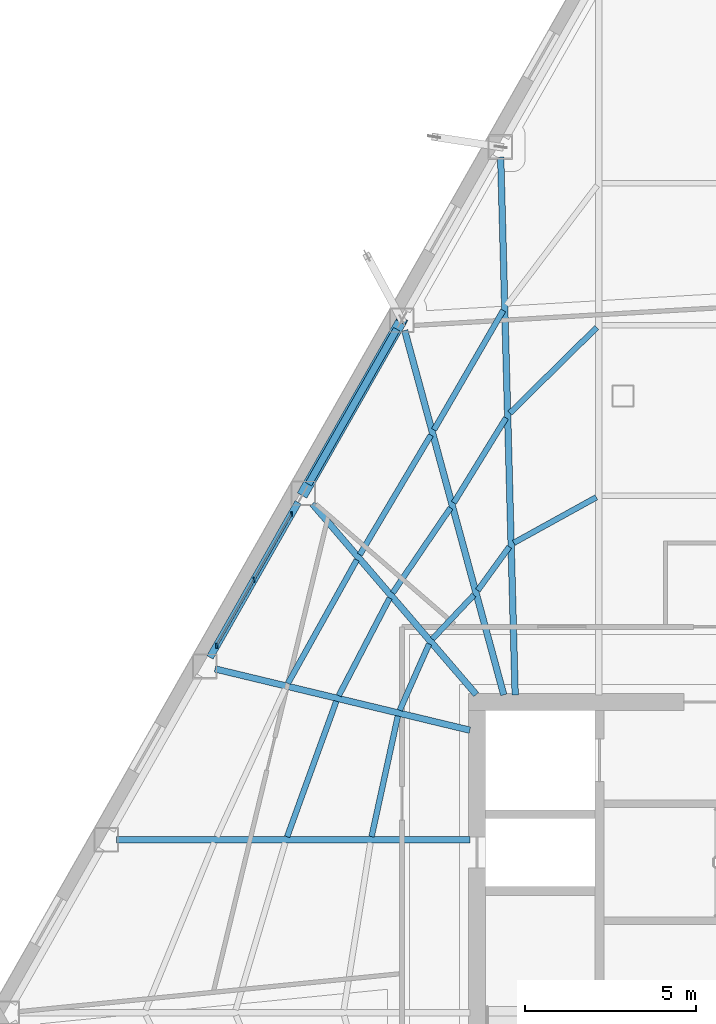
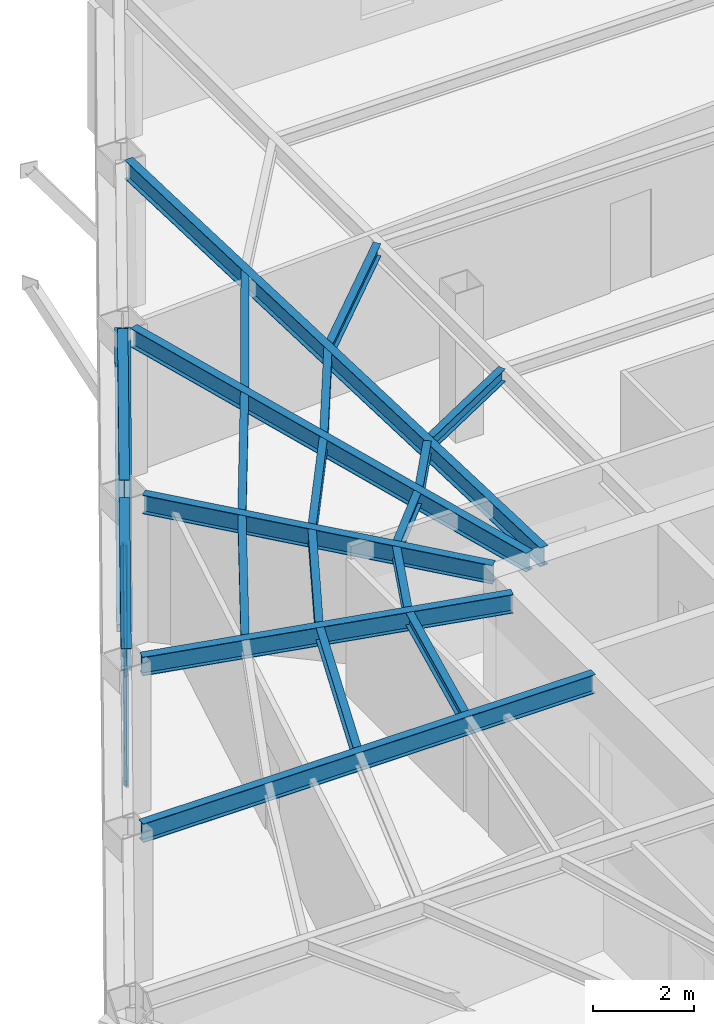
# One storey, part 2 of 12: 20 beams, 6 members, 1 element without a shape of its own.
"""IFC4 building model written with IfcOpenShell, lengths in metres."""

import ifcopenshell
import ifcopenshell.guid

model = None  # the IFC model being written
_history = None  # IfcOwnerHistory: only IFC2X3 demands one
_inside = {}  # id of a spatial element -> (the spatial element, [elements in it])
_under = {}  # id of a project, library or spatial element -> (it, [spatial elements below it])
_declared = {}  # id of a project -> (the project, [libraries it declares])
_typed = {}  # id of a type object -> (the type object, [elements of that type])
_made_of = {}  # id of a material, layer set ... -> (it, [elements and type objects made of it])


def new_model(schema):
    """Start an empty IFC model of exactly this schema.

    Asked for "IFC4X3", IfcOpenShell would pick the latest addendum, in which some entities
    have other attributes; the version numbers below select the first issue.
    IFC2X3 requires an IfcOwnerHistory on every rooted entity: one is made here for all.
    """
    global model, _history
    if schema == "IFC4X3":
        model = ifcopenshell.file(schema_version=(4, 3, 0, 0))
    else:
        model = ifcopenshell.file(schema=schema)
    _inside.clear()
    _under.clear()
    _declared.clear()
    _typed.clear()
    _made_of.clear()
    _history = None
    if model.schema == "IFC2X3":
        org = make("IfcOrganization", Name="unknown")
        user = make(
            "IfcPersonAndOrganization",
            ThePerson=make("IfcPerson", FamilyName="unknown"),
            TheOrganization=org,
        )
        app = make(
            "IfcApplication",
            ApplicationDeveloper=org,
            Version="unknown",
            ApplicationFullName="unknown",
            ApplicationIdentifier="unknown",
        )
        _history = make(
            "IfcOwnerHistory",
            OwningUser=user,
            OwningApplication=app,
            ChangeAction="ADDED",
            CreationDate=0,
        )
    return model


def make(cls, **values):
    """One entity of the class cls with the attributes given. An attribute that is None is left unset."""
    return model.create_entity(
        cls, **{name: value for name, value in values.items() if value is not None}
    )


def rooted(cls, **values):
    """An entity with a GlobalId (a new one), such as an element, a storey or a relation."""
    return make(cls, GlobalId=ifcopenshell.guid.new(), OwnerHistory=_history, **values)


def si_unit(unit_type, name, prefix=None):
    """IfcSIUnit, for example si_unit("LENGTHUNIT", "METRE", prefix="MILLI")."""
    return make("IfcSIUnit", UnitType=unit_type, Prefix=prefix, Name=name)


def assignment(units):
    """IfcUnitAssignment: the units of a project."""
    return None if units is None else make("IfcUnitAssignment", Units=units)


def point(xyz):
    """IfcCartesianPoint."""
    return None if xyz is None else make("IfcCartesianPoint", Coordinates=xyz)


def direction(xyz):
    """IfcDirection."""
    return None if xyz is None else make("IfcDirection", DirectionRatios=xyz)


def frame(location, z_axis=None, x_axis=None):
    """IfcAxis2Placement3D, a coordinate frame: its origin and axes. An axis left out is left unset."""
    return make(
        "IfcAxis2Placement3D",
        Location=point(location),
        Axis=direction(z_axis),
        RefDirection=direction(x_axis),
    )


def frame_2d(location, x_axis=None):
    """IfcAxis2Placement2D, a coordinate frame in the plane: its origin and x axis."""
    return make(
        "IfcAxis2Placement2D", Location=point(location), RefDirection=direction(x_axis)
    )


def origin():
    """The frame at (0, 0, 0) with its axes left unset."""
    return frame((0.0, 0.0, 0.0))


def origin_2d():
    """The frame at (0, 0) in the plane with its x axis left unset."""
    return frame_2d((0.0, 0.0))


def place(relative_to, where):
    """IfcLocalPlacement: puts the frame where relative to a parent placement (None: the world)."""
    return make(
        "IfcLocalPlacement", PlacementRelTo=relative_to, RelativePlacement=where
    )


def context(
    kind, dimensions, precision=None, world=None, true_north=None, identifier=None
):
    """IfcGeometricRepresentationContext, for example the 3D "Model" context."""
    return make(
        "IfcGeometricRepresentationContext",
        ContextIdentifier=identifier,
        ContextType=kind,
        CoordinateSpaceDimension=dimensions,
        Precision=precision,
        WorldCoordinateSystem=world,
        TrueNorth=true_north,
    )


def subcontext(parent, identifier, kind, view, scale=None):
    """IfcGeometricRepresentationSubContext, for example "Body" below "Model"."""
    return make(
        "IfcGeometricRepresentationSubContext",
        ContextIdentifier=identifier,
        ContextType=kind,
        ParentContext=parent,
        TargetScale=scale,
        TargetView=view,
    )


def project(units=None, contexts=None):
    """IfcProject with its units and contexts."""
    return rooted(
        "IfcProject",
        Name="project",
        RepresentationContexts=contexts,
        UnitsInContext=assignment(units),
    )


def spatial(cls, under=None, at=None, **own):
    """A site, building, storey or space (cls), placed at a placement, below another one or the project."""
    s = rooted(cls, ObjectPlacement=at, **own)
    if under is not None:
        _under.setdefault(under.id(), (under, []))[1].append(s)
    return s


def profile(cls, at=None, kind="AREA", **sizes):
    """A parametric profile (cls). Its sizes go by their IFC names, for example OverallWidth=200.0."""
    return make(cls, ProfileType=kind, Position=at, **sizes)


def rectangle(**sizes):
    """IfcRectangleProfileDef."""
    return profile("IfcRectangleProfileDef", **sizes)


def hollow_rectangle(**sizes):
    """IfcRectangleHollowProfileDef."""
    return profile("IfcRectangleHollowProfileDef", **sizes)


def i_section(**sizes):
    """IfcIShapeProfileDef."""
    return profile("IfcIShapeProfileDef", **sizes)


def extrude(swept, where, along, depth):
    """IfcExtrudedAreaSolid: the profile swept, set in the frame where, extruded along a direction by depth."""
    return make(
        "IfcExtrudedAreaSolid",
        SweptArea=swept,
        Position=where,
        ExtrudedDirection=direction(along),
        Depth=depth,
    )


def shape(context_of_items, identifier, shape_type, items):
    """IfcShapeRepresentation: the items that make up one representation, for example the "Body"."""
    return make(
        "IfcShapeRepresentation",
        ContextOfItems=context_of_items,
        RepresentationIdentifier=identifier,
        RepresentationType=shape_type,
        Items=items,
    )


def material(Name=None, Category=None):
    """IfcMaterial."""
    return make("IfcMaterial", Name=Name, Category=Category)


def layer(
    of_material, thickness, ventilated=None, Name=None, Category=None, Priority=None
):
    """IfcMaterialLayer: one layer of a wall or slab, of a material (None: an air gap)."""
    return make(
        "IfcMaterialLayer",
        Material=of_material,
        LayerThickness=thickness,
        IsVentilated=ventilated,
        Name=Name,
        Category=Category,
        Priority=Priority,
    )


def layer_set(layers, Name=None):
    """IfcMaterialLayerSet."""
    return make("IfcMaterialLayerSet", MaterialLayers=layers, LayerSetName=Name)


def material_profile(
    of_material, cross_section, Name=None, Category=None, Priority=None
):
    """IfcMaterialProfile: a cross section and its material."""
    return make(
        "IfcMaterialProfile",
        Name=Name,
        Material=of_material,
        Profile=cross_section,
        Priority=Priority,
        Category=Category,
    )


def profile_set(profiles, Name=None, composite=None):
    """IfcMaterialProfileSet."""
    return make(
        "IfcMaterialProfileSet",
        Name=Name,
        MaterialProfiles=profiles,
        CompositeProfile=composite,
    )


def made_of(thing, what):
    """Note that an element or type object is made of a material, layer set ...; save() writes the relation."""
    if what is not None:
        _made_of.setdefault(what.id(), (what, []))[1].append(thing)
    return thing


def type_object(cls, material=None, **own):
    """A type object (cls), such as IfcWallType, which elements share."""
    return made_of(rooted(cls, **own), material)


def element(
    cls,
    number,
    at=None,
    inside=None,
    cuts=None,
    type_object=None,
    material=None,
    context=None,
    identifier="Body",
    shape_type=None,
    held_by="IfcProductDefinitionShape",
    body=None,
    shapes=None,
    **own,
):
    """One element of the class cls, such as IfcWall. Its Tag is "e" and its number.

    at: its placement. inside: the storey or other place that contains it. cuts: it is an
    opening in that element (IfcRelVoidsElement). A single representation is given by context,
    identifier, shape_type and body (its items); several are given by shapes. held_by: the class
    of the entity that holds the representations. save() writes the other relations.
    """
    e = rooted(cls, Tag="e%d" % number, ObjectPlacement=at, **own)
    if body is not None:
        shapes = [shape(context, identifier, shape_type, body)]
    if shapes is not None:
        e.Representation = make(held_by, Representations=shapes)
    if inside is not None:
        _inside.setdefault(inside.id(), (inside, []))[1].append(e)
    if cuts is not None:
        rooted(
            "IfcRelVoidsElement", RelatingBuildingElement=cuts, RelatedOpeningElement=e
        )
    if type_object is not None:
        _typed.setdefault(type_object.id(), (type_object, []))[1].append(e)
    return made_of(e, material)


def aggregate(whole, parts):
    """IfcRelAggregates: a whole, such as a stair, and the parts it consists of."""
    return rooted("IfcRelAggregates", RelatingObject=whole, RelatedObjects=parts)


def save(model, path):
    """Write the relations noted so far, then the file.

    IfcRelAggregates (storeys below a building ...), IfcRelContainedInSpatialStructure (elements
    in a storey), IfcRelDefinesByType, IfcRelAssociatesMaterial and IfcRelDeclares: one each for
    every whole, place, type object, material and project.
    """
    for whole, parts in _under.values():
        aggregate(whole, parts)
    for where, things in _inside.values():
        rooted(
            "IfcRelContainedInSpatialStructure",
            RelatedElements=things,
            RelatingStructure=where,
        )
    for kind, things in _typed.values():
        rooted("IfcRelDefinesByType", RelatedObjects=things, RelatingType=kind)
    for what, things in _made_of.values():
        rooted("IfcRelAssociatesMaterial", RelatedObjects=things, RelatingMaterial=what)
    for by, libraries in _declared.values():
        rooted("IfcRelDeclares", RelatingContext=by, RelatedDefinitions=libraries)
    model.write(path)


model = new_model("IFC4")

# Units and contexts
model_context = context("Model", 3, precision=1e-05, world=origin(), true_north=direction((0.0, 1.0)))
body_context = subcontext(model_context, "Body", "Model", "MODEL_VIEW")
ifc_project = project(units=[si_unit("LENGTHUNIT", "METRE"), si_unit("AREAUNIT", "SQUARE_METRE"), si_unit("VOLUMEUNIT", "CUBIC_METRE"), si_unit("PLANEANGLEUNIT", "RADIAN"), si_unit("MASSUNIT", "GRAM", prefix="KILO")], contexts=[model_context])

# Site, building, storey
site_placement = place(None, origin())
site = spatial("IfcSite", under=ifc_project, at=site_placement, CompositionType="ELEMENT")
building_placement = place(site_placement, origin())
building = spatial("IfcBuilding", under=site, at=building_placement, Name="Kavelnor Concourse Tower", CompositionType="ELEMENT")
storey_placement = place(building_placement, frame((0.0, 0.0, 93.199951171875)))
storey = spatial("IfcBuildingStorey", under=building, at=storey_placement, Name="L23", CompositionType="ELEMENT", Elevation=93.199951171875)

# Beams
ifc_material_1 = material(Name="Steel Grade 350", Category="steel")
ifc_material_profile_1 = material_profile(ifc_material_1, i_section(OverallWidth=0.166015625, OverallDepth=0.306884765625, WebThickness=0.006591796875, FlangeThickness=0.01171875, at=origin_2d()), Name="310UB46")
ifc_profile_set_1 = profile_set([ifc_material_profile_1], Name="Steel Grade 350")
beam_type_1 = type_object("IfcBeamType", Name="BM-JOIST-310", PredefinedType="JOIST", material=ifc_profile_set_1)
beam_1_placement = place(storey_placement, frame((31.716796875, 28.838134765625, 3.446533203125), z_axis=(-0.875536350101, -0.483152253075, 0.0), x_axis=(0.483152253075, -0.875536350101, 0.0)))
element("IfcBeam", 1, at=beam_1_placement, inside=storey, type_object=beam_type_1, Name="L23 Secondary Composite Joist 16-1", PredefinedType="JOIST", context=body_context, shape_type="SweptSolid", body=[
    extrude(i_section(OverallWidth=0.166015625, OverallDepth=0.306884765625, WebThickness=0.006591796875, FlangeThickness=0.01171875, at=origin_2d()), origin(), (0.0, 0.0, 1.0), 2.757080078125),
])
beam_2_placement = place(storey_placement, frame((31.731201171875, 33.80810546875, 3.446533203125), z_axis=(-0.712111030916, -0.702066862662, 0.0), x_axis=(0.702066862662, -0.712111030916, 0.0)))
element("IfcBeam", 2, at=beam_2_placement, inside=storey, type_object=beam_type_1, Name="L23 Secondary Composite Joist 16-2", PredefinedType="JOIST", context=body_context, shape_type="SweptSolid", body=[
    extrude(i_section(OverallWidth=0.166015625, OverallDepth=0.306884765625, WebThickness=0.006591796875, FlangeThickness=0.01171875, at=origin_2d()), origin(), (0.0, 0.0, 1.0), 3.572998046875),
])
beam_3_placement = place(storey_placement, frame((29.172607421875, 27.390869140625, 3.446533203125), z_axis=(-0.586573045375, -0.809896328205, 0.0), x_axis=(0.809896328205, -0.586573045375, 0.0)))
element("IfcBeam", 3, at=beam_3_placement, inside=storey, type_object=beam_type_1, Name="L23 Secondary Composite Joist 17-1", PredefinedType="JOIST", context=body_context, shape_type="SweptSolid", body=[
    extrude(i_section(OverallWidth=0.166015625, OverallDepth=0.306884765625, WebThickness=0.006591796875, FlangeThickness=0.01171875, at=origin_2d()), origin(), (0.0, 0.0, 1.0), 1.572021484375),
])
beam_4_placement = place(storey_placement, frame((29.07666015625, 31.161376953125, 3.446533203125), z_axis=(-0.523999267711, -0.8517187138, 0.0), x_axis=(0.8517187138, -0.523999267711, 0.0)))
element("IfcBeam", 4, at=beam_4_placement, inside=storey, type_object=beam_type_1, Name="L23 Secondary Composite Joist 17-2", PredefinedType="JOIST", context=body_context, shape_type="SweptSolid", body=[
    extrude(i_section(OverallWidth=0.166015625, OverallDepth=0.306884765625, WebThickness=0.006591796875, FlangeThickness=0.01171875, at=origin_2d()), origin(), (0.0, 0.0, 1.0), 2.914306640625),
])
beam_5_placement = place(storey_placement, frame((28.994140625, 34.30517578125, 3.446533203125), z_axis=(-0.501734375672, -0.865021743235, 0.0), x_axis=(0.865021743235, -0.501734375672, 0.0)))
element("IfcBeam", 5, at=beam_5_placement, inside=storey, type_object=beam_type_1, Name="L23 Secondary Composite Joist 17-3", PredefinedType="JOIST", context=body_context, shape_type="SweptSolid", body=[
    extrude(i_section(OverallWidth=0.166015625, OverallDepth=0.306884765625, WebThickness=0.006591796875, FlangeThickness=0.01171875, at=origin_2d()), origin(), (0.0, 0.0, 1.0), 4.038330078125),
])
beam_6_placement = place(storey_placement, frame((28.13720703125, 25.98095703125, 3.446533203125), z_axis=(-0.686582975318, -0.727051454853, 0.0), x_axis=(0.727051454853, -0.686582975318, 0.0)))
element("IfcBeam", 6, at=beam_6_placement, inside=storey, type_object=beam_type_1, Name="L23 Secondary Composite Joist 18-1", PredefinedType="JOIST", context=body_context, shape_type="SweptSolid", body=[
    extrude(i_section(OverallWidth=0.166015625, OverallDepth=0.306884765625, WebThickness=0.006591796875, FlangeThickness=0.01171875, at=origin_2d()), origin(), (0.0, 0.0, 1.0), 1.767578125),
])
beam_7_placement = place(storey_placement, frame((27.452880859375, 28.52978515625, 3.446533203125), z_axis=(-0.56215453909, -0.827032208672, 0.0), x_axis=(0.827032208672, -0.56215453909, 0.0)))
element("IfcBeam", 7, at=beam_7_placement, inside=storey, type_object=beam_type_1, Name="L23 Secondary Composite Joist 18-2", PredefinedType="JOIST", context=body_context, shape_type="SweptSolid", body=[
    extrude(i_section(OverallWidth=0.166015625, OverallDepth=0.306884765625, WebThickness=0.006591796875, FlangeThickness=0.01171875, at=origin_2d()), origin(), (0.0, 0.0, 1.0), 3.006591796875),
])
beam_8_placement = place(storey_placement, frame((26.877685546875, 30.65869140625, 3.446533203125), z_axis=(-0.510766160463, -0.859719680667, 0.0), x_axis=(0.859719680667, -0.510766160463, 0.0)))
element("IfcBeam", 8, at=beam_8_placement, inside=storey, type_object=beam_type_1, Name="L23 Secondary Composite Joist 18-3", PredefinedType="JOIST", context=body_context, shape_type="SweptSolid", body=[
    extrude(i_section(OverallWidth=0.166015625, OverallDepth=0.306884765625, WebThickness=0.006591796875, FlangeThickness=0.01171875, at=origin_2d()), origin(), (0.0, 0.0, 1.0), 4.067626953125),
])
beam_9_placement = place(storey_placement, frame((26.826416015625, 24.5498046875, 3.446533203125), z_axis=(-0.404674515536, -0.914460790015, 0.0), x_axis=(0.914460790015, -0.404674515536, 0.0)))
element("IfcBeam", 9, at=beam_9_placement, inside=storey, type_object=beam_type_1, Name="L23 Secondary Composite Joist 19-1", PredefinedType="JOIST", context=body_context, shape_type="SweptSolid", body=[
    extrude(i_section(OverallWidth=0.166015625, OverallDepth=0.306884765625, WebThickness=0.006591796875, FlangeThickness=0.01171875, at=origin_2d()), origin(), (0.0, 0.0, 1.0), 2.12060546875),
])
beam_10_placement = place(storey_placement, frame((25.671630859375, 25.890869140625, 3.446533203125), z_axis=(-0.462236598568, -0.886756633437, 0.0), x_axis=(0.886756633437, -0.462236598568, 0.0)))
element("IfcBeam", 10, at=beam_10_placement, inside=storey, type_object=beam_type_1, Name="L23 Secondary Composite Joist 19-2", PredefinedType="JOIST", context=body_context, shape_type="SweptSolid", body=[
    extrude(i_section(OverallWidth=0.166015625, OverallDepth=0.306884765625, WebThickness=0.006591796875, FlangeThickness=0.01171875, at=origin_2d()), origin(), (0.0, 0.0, 1.0), 3.217041015625),
])
beam_11_placement = place(storey_placement, frame((24.711181640625, 27.00732421875, 3.446533203125), z_axis=(-0.487180876901, -0.873301089649, 0.0), x_axis=(0.873301089649, -0.487180876901, 0.0)))
element("IfcBeam", 11, at=beam_11_placement, inside=storey, type_object=beam_type_1, Name="L23 Secondary Composite Joist 19-3", PredefinedType="JOIST", context=body_context, shape_type="SweptSolid", body=[
    extrude(i_section(OverallWidth=0.166015625, OverallDepth=0.306884765625, WebThickness=0.006591796875, FlangeThickness=0.01171875, at=origin_2d()), origin(), (0.0, 0.0, 1.0), 4.1357421875),
])
beam_12_placement = place(storey_placement, frame((25.9130859375, 22.442138671875, 3.446533203125), z_axis=(-0.21287600469, -0.977079222288, 0.0), x_axis=(0.977079222288, -0.21287600469, 0.0)))
element("IfcBeam", 12, at=beam_12_placement, inside=storey, type_object=beam_type_1, Name="L23 Secondary Composite Joist 20-1", PredefinedType="JOIST", context=body_context, shape_type="SweptSolid", body=[
    extrude(i_section(OverallWidth=0.166015625, OverallDepth=0.306884765625, WebThickness=0.006591796875, FlangeThickness=0.01171875, at=origin_2d()), origin(), (0.0, 0.0, 1.0), 3.6103515625),
])
beam_13_placement = place(storey_placement, frame((24.113037109375, 22.87548828125, 3.446533203125), z_axis=(-0.340989921469, -0.940066951582, 0.0), x_axis=(0.940066951582, -0.340989921469, 0.0)))
element("IfcBeam", 13, at=beam_13_placement, inside=storey, type_object=beam_type_1, Name="L23 Secondary Composite Joist 20-2", PredefinedType="JOIST", context=body_context, shape_type="SweptSolid", body=[
    extrude(i_section(OverallWidth=0.166015625, OverallDepth=0.306884765625, WebThickness=0.006591796875, FlangeThickness=0.01171875, at=origin_2d()), origin(), (0.0, 0.0, 1.0), 4.217041015625),
])
ifc_material_profile_2 = material_profile(ifc_material_1, i_section(OverallWidth=0.18994140625, OverallDepth=0.4541015625, WebThickness=0.008544921875, FlangeThickness=0.0126953125, at=origin_2d()), Name="460UB67")
ifc_profile_set_2 = profile_set([ifc_material_profile_2], Name="Steel Grade 350")
beam_type_2 = type_object("IfcBeamType", Name="BM-PRIMARY-460", PredefinedType="BEAM", material=ifc_profile_set_2)
beam_14_placement = place(storey_placement, frame((29.343505859375, 23.06005859375, 3.373046875), z_axis=(-0.026896026452, 0.999638236444, 0.0), x_axis=(-0.999638236444, -0.026896026452, 0.0)))
element("IfcBeam", 14, at=beam_14_placement, inside=storey, type_object=beam_type_2, Name="L23 Primary Floor Girder F0-B1", PredefinedType="BEAM", context=body_context, shape_type="SweptSolid", body=[
    extrude(i_section(OverallWidth=0.18994140625, OverallDepth=0.4541015625, WebThickness=0.008544921875, FlangeThickness=0.0126953125, at=origin_2d()), origin(), (0.0, 0.0, 1.0), 15.730712890625),
])
beam_15_placement = place(storey_placement, frame((29.009765625, 23.061279296875, 3.373046875), z_axis=(-0.262378533538, 0.964965027935, 0.0), x_axis=(-0.964965027935, -0.262378533538, 0.0)))
element("IfcBeam", 15, at=beam_15_placement, inside=storey, type_object=beam_type_2, Name="L23 Primary Floor Girder F0-B2", PredefinedType="BEAM", context=body_context, shape_type="SweptSolid", body=[
    extrude(i_section(OverallWidth=0.18994140625, OverallDepth=0.4541015625, WebThickness=0.008544921875, FlangeThickness=0.0126953125, at=origin_2d()), origin(), (0.0, 0.0, 1.0), 11.044921875),
])
beam_16_placement = place(storey_placement, frame((28.20361328125, 23.069580078125, 3.373046875), z_axis=(-0.651581380003, 0.758578740299, 0.0), x_axis=(-0.758578740299, -0.651581380003, 0.0)))
element("IfcBeam", 16, at=beam_16_placement, inside=storey, type_object=beam_type_2, Name="L23 Primary Floor Girder F0-B3", PredefinedType="BEAM", context=body_context, shape_type="SweptSolid", body=[
    extrude(i_section(OverallWidth=0.18994140625, OverallDepth=0.4541015625, WebThickness=0.008544921875, FlangeThickness=0.0126953125, at=origin_2d()), origin(), (0.0, 0.0, 1.0), 7.351806640625),
])
beam_17_placement = place(storey_placement, frame((28.018798828125, 22.02734375, 3.373046875), z_axis=(-0.972280516734, 0.233817443273, 0.0), x_axis=(-0.233817443273, -0.972280516734, 0.0)))
element("IfcBeam", 17, at=beam_17_placement, inside=storey, type_object=beam_type_2, Name="L23 Primary Floor Girder F0-B4", PredefinedType="BEAM", context=body_context, shape_type="SweptSolid", body=[
    extrude(i_section(OverallWidth=0.18994140625, OverallDepth=0.4541015625, WebThickness=0.008544921875, FlangeThickness=0.0126953125, at=origin_2d()), origin(), (0.0, 0.0, 1.0), 7.6650390625),
])
beam_18_placement = place(storey_placement, frame((28.02001953125, 18.827392578125, 3.373046875), z_axis=(-1.0, 0.0, 0.0), x_axis=(0.0, -1.0, 0.0)))
element("IfcBeam", 18, at=beam_18_placement, inside=storey, type_object=beam_type_2, Name="L23 Primary Floor Girder F0-B5", PredefinedType="BEAM", context=body_context, shape_type="SweptSolid", body=[
    extrude(i_section(OverallWidth=0.18994140625, OverallDepth=0.4541015625, WebThickness=0.008544921875, FlangeThickness=0.0126953125, at=origin_2d()), origin(), (0.0, 0.0, 1.0), 10.33740234375),
])
ifc_material_profile_3 = material_profile(ifc_material_1, i_section(OverallWidth=0.208984375, OverallDepth=0.532958984375, WebThickness=0.01025390625, FlangeThickness=0.015625, at=origin_2d()), Name="530UB92")
ifc_profile_set_3 = profile_set([ifc_material_profile_3], Name="Steel Grade 350")
beam_type_3 = type_object("IfcBeamType", Name="BM-SPANDREL-Z2", PredefinedType="SPANDREL", material=ifc_profile_set_3)
for number, where, z_axis, x_axis, name in (
    (19, (25.87890625, 33.755615234375, 3.33349609375), (-0.49463639641, -0.869100014582, 0.0), (0.869100014582, -0.49463639641, 0.0), "L23 Perimeter Tube Spandrel Beam F0-B2"),
    (20, (22.99658203125, 28.691162109375, 3.33349609375), (-0.49463639641, -0.869100014582, 0.0), (0.869100014582, -0.49463639641, 0.0), "L23 Perimeter Tube Spandrel Beam F0-B3"),
):
    element("IfcBeam", number, at=place(storey_placement, frame(where, z_axis=z_axis, x_axis=x_axis)), inside=storey, type_object=beam_type_3, Name=name, PredefinedType="SPANDREL", context=body_context, shape_type="SweptSolid", body=[
        extrude(i_section(OverallWidth=0.208984375, OverallDepth=0.532958984375, WebThickness=0.01025390625, FlangeThickness=0.015625, at=origin_2d()), origin(), (0.0, 0.0, 1.0), 5.217041015625),
    ])

# Curtain wall, members
ifc_material_2 = material(Name="Anodised aluminium 6063-T6", Category="aluminium")
ifc_layer = layer(ifc_material_2, 0.139892578125, Name="Anodised aluminium 6063-T6")
ifc_layer_set = layer_set([ifc_layer], Name="Anodised aluminium 6063-T6")
curtain_wall_type = type_object("IfcCurtainWallType", Name="CW-TERRACE-PAVILION", PredefinedType="NOTDEFINED", material=ifc_layer_set)
curtain_wall_placement = place(storey_placement, origin())
curtain_wall = element("IfcCurtainWall", 21, at=curtain_wall_placement, inside=storey, type_object=curtain_wall_type, Name="L23 Terrace Pavilion Curtain Wall", PredefinedType="NOTDEFINED")
ifc_material_profile_4 = material_profile(ifc_material_2, rectangle(XDim=0.054931640625, YDim=0.139892578125, at=origin_2d()), Name="AL-MULL 55x140")
ifc_profile_set_4 = profile_set([ifc_material_profile_4], Name="Anodised aluminium 6063-T6")
member_type_1 = type_object("IfcMemberType", Name="CW-TERRACE-PAVILION-MULL", PredefinedType="MULLION", material=ifc_profile_set_4)
member_1_placement = place(storey_placement, frame((22.80126953125, 28.347900390625, 0.0), z_axis=(0.0, 0.0, 1.0), x_axis=(1.0, 0.0, 0.0)))
member_1 = element("IfcMember", 22, at=member_1_placement, type_object=member_type_1, Name="L23 Terrace Pavilion Curtain Wall Mullion 0", PredefinedType="MULLION", context=body_context, shape_type="SweptSolid", body=[
    extrude(rectangle(XDim=0.054931640625, YDim=0.139892578125, at=origin_2d()), origin(), (0.0, 0.0, 1.0), 2.75),
])
member_2_placement = place(storey_placement, frame((21.706298828125, 26.424072265625, 0.0), z_axis=(0.0, 0.0, 1.0), x_axis=(1.0, 0.0, 0.0)))
member_2 = element("IfcMember", 23, at=member_2_placement, type_object=member_type_1, Name="L23 Terrace Pavilion Curtain Wall Mullion 1", PredefinedType="MULLION", context=body_context, shape_type="SweptSolid", body=[
    extrude(rectangle(XDim=0.054931640625, YDim=0.139892578125, at=origin_2d()), origin(), (0.0, 0.0, 1.0), 2.75),
])
member_3_placement = place(storey_placement, frame((20.611328125, 24.500244140625, 0.0), z_axis=(0.0, 0.0, 1.0), x_axis=(1.0, 0.0, 0.0)))
member_3 = element("IfcMember", 24, at=member_3_placement, type_object=member_type_1, Name="L23 Terrace Pavilion Curtain Wall Mullion 2", PredefinedType="MULLION", context=body_context, shape_type="SweptSolid", body=[
    extrude(rectangle(XDim=0.054931640625, YDim=0.139892578125, at=origin_2d()), origin(), (0.0, 0.0, 1.0), 2.75),
])
ifc_material_profile_5 = material_profile(ifc_material_2, rectangle(XDim=0.054931640625, YDim=0.1201171875, at=origin_2d()), Name="AL-TRAN 55x120")
ifc_profile_set_5 = profile_set([ifc_material_profile_5], Name="Anodised aluminium 6063-T6")
member_type_2 = type_object("IfcMemberType", Name="CW-TERRACE-PAVILION-TRAN", PredefinedType="USERDEFINED", material=ifc_profile_set_5)
member_4_placement = place(storey_placement, frame((22.80126953125, 28.347900390625, 0.06005859375), z_axis=(-0.494653531265, -0.86909026229, 0.0), x_axis=(0.86909026229, -0.494653531265, 0.0)))
member_4 = element("IfcMember", 25, at=member_4_placement, type_object=member_type_2, Name="L23 Terrace Pavilion Curtain Wall Transom 0-BOT", ObjectType="TRANSOM", PredefinedType="USERDEFINED", context=body_context, shape_type="SweptSolid", body=[
    extrude(rectangle(XDim=0.054931640625, YDim=0.1201171875, at=origin_2d()), origin(), (0.0, 0.0, 1.0), 4.42724609375),
])
member_5_placement = place(storey_placement, frame((22.80126953125, 28.347900390625, 2.68994140625), z_axis=(-0.494653531265, -0.86909026229, 0.0), x_axis=(0.86909026229, -0.494653531265, 0.0)))
member_5 = element("IfcMember", 26, at=member_5_placement, type_object=member_type_2, Name="L23 Terrace Pavilion Curtain Wall Transom 0-TOP", ObjectType="TRANSOM", PredefinedType="USERDEFINED", context=body_context, shape_type="SweptSolid", body=[
    extrude(rectangle(XDim=0.054931640625, YDim=0.1201171875, at=origin_2d()), origin(), (0.0, 0.0, 1.0), 4.42724609375),
])
aggregate(curtain_wall, [member_1, member_2, member_3, member_4, member_5])

# Member
ifc_material_profile_6 = material_profile(ifc_material_1, hollow_rectangle(XDim=0.320068359375, YDim=0.320068359375, WallThickness=0.01806640625, at=origin_2d()), Name="SHS 320x320x18")
ifc_profile_set_6 = profile_set([ifc_material_profile_6], Name="Steel Grade 350")
member_type_3 = type_object("IfcMemberType", Name="MBR-TUBE-DIAG-Z2", PredefinedType="BRACE", material=ifc_profile_set_6)
member_6_placement = place(storey_placement, frame((23.1474609375, 28.956298828125, 0.219970703125), z_axis=(0.436262743783, 0.766545346182, 0.471256883911), x_axis=(-0.869102970474, 0.494631202729, 0.0)))
element("IfcMember", 27, at=member_6_placement, inside=storey, type_object=member_type_3, Name="L23 Framed-Tube Bracing Diagonal F0-B2", PredefinedType="BRACE", context=body_context, shape_type="SweptSolid", body=[
    extrude(hollow_rectangle(XDim=0.320068359375, YDim=0.320068359375, WallThickness=0.01806640625, at=origin_2d()), origin(), (0.0, 0.0, 1.0), 6.60693359375),
])

save(model, "model.ifc")
